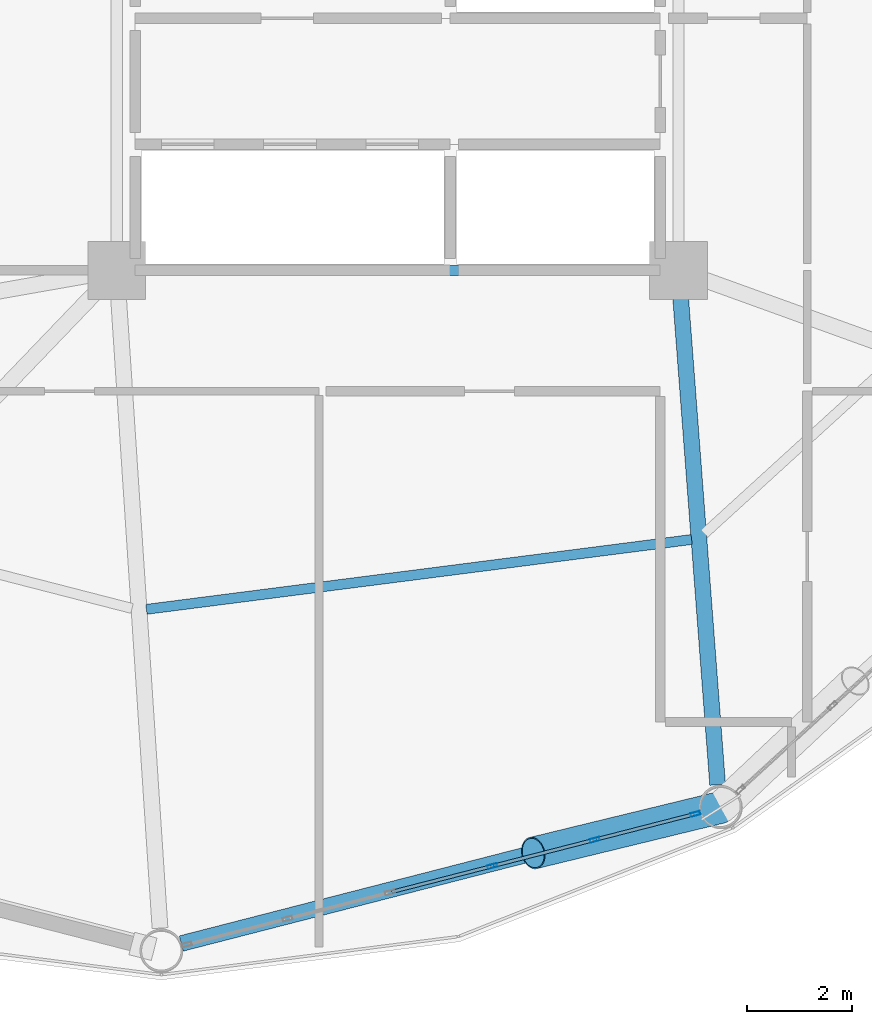
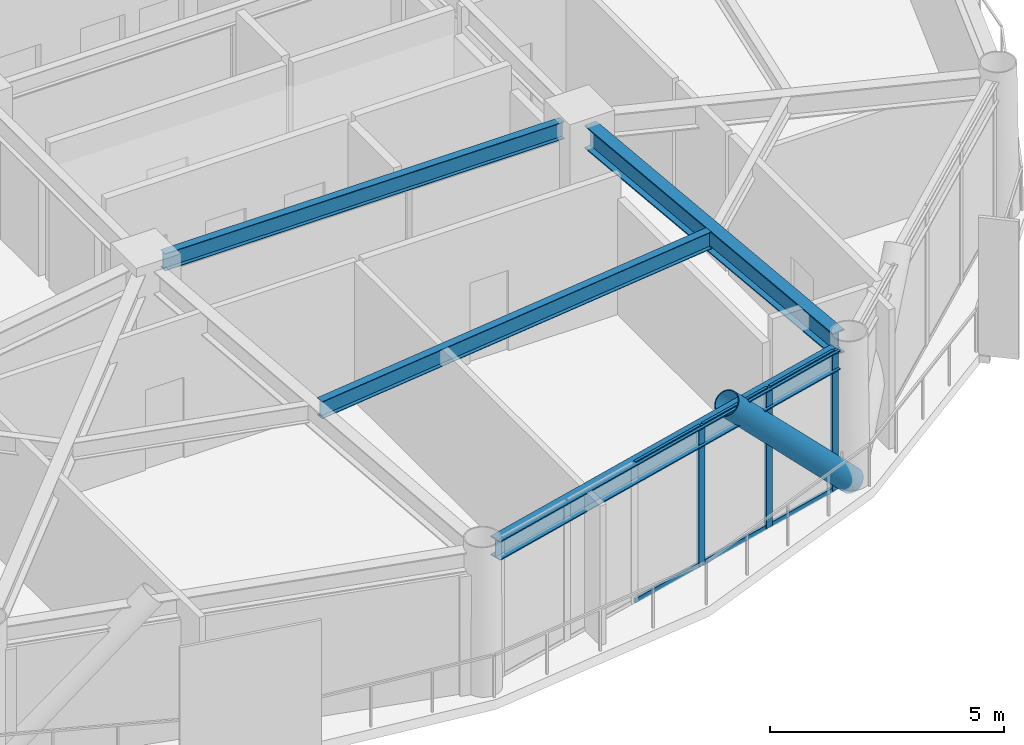
# One storey, part 7 of 24: 10 members, 4 beams, 1 element without a shape of its own.
"""IFC4 building model written with IfcOpenShell, lengths in metres."""

from ifc_helpers import new_model, si_unit, direction, frame, origin, origin_2d, place, context, subcontext, project, spatial, hollow_rectangle, hollow_circle, i_section, extrude, material, layer, layer_set, material_profile, profile_set, type_object, element, aggregate, save


model = new_model("IFC4")

# Units and contexts
model_context = context("Model", 3, precision=1e-05, world=origin(), true_north=direction((0.0, 1.0)))
body_context = subcontext(model_context, "Body", "Model", "MODEL_VIEW")
ifc_project = project(units=[si_unit("LENGTHUNIT", "METRE"), si_unit("AREAUNIT", "SQUARE_METRE"), si_unit("VOLUMEUNIT", "CUBIC_METRE"), si_unit("PLANEANGLEUNIT", "RADIAN"), si_unit("MASSUNIT", "GRAM", prefix="KILO")], contexts=[model_context])

# Site, building, storey
site_placement = place(None, origin())
site = spatial("IfcSite", under=ifc_project, at=site_placement, CompositionType="ELEMENT")
building_placement = place(site_placement, origin())
building = spatial("IfcBuilding", under=site, at=building_placement, Name="Varnakorn Sky Granary", CompositionType="ELEMENT")
storey_placement = place(building_placement, frame((0.0, 0.0, 111.0)))
storey = spatial("IfcBuildingStorey", under=building, at=storey_placement, Name="L27", CompositionType="ELEMENT", Elevation=111.0)

# Beams
ifc_material_1 = material(Name="Steel S355JR", Category="steel")
ifc_material_profile_1 = material_profile(ifc_material_1, i_section(OverallWidth=0.300048828125, OverallDepth=0.60009765625, WebThickness=0.015380859375, FlangeThickness=0.030029296875, at=origin_2d()), Name="HE 600 B")
ifc_profile_set_1 = profile_set([ifc_material_profile_1], Name="Steel S355JR")
beam_type_1 = type_object("IfcBeamType", Name="BM-RAD-Z2", PredefinedType="BEAM", material=ifc_profile_set_1)
beam_1_placement = place(storey_placement, frame((8.3818359375, -7.018798828125, 3.340087890625), z_axis=(0.075761323069, -0.997125980971, 0.0), x_axis=(0.997125980971, 0.075761323069, 0.0)))
element("IfcBeam", 1, at=beam_1_placement, inside=storey, type_object=beam_type_1, Name="Radial Floor Girder RG11 L27", PredefinedType="BEAM", context=body_context, shape_type="SweptSolid", body=[
    extrude(i_section(OverallWidth=0.300048828125, OverallDepth=0.60009765625, WebThickness=0.015380859375, FlangeThickness=0.030029296875, at=origin_2d()), origin(), (0.0, 0.0, 1.0), 9.4033203125),
])
ifc_material_profile_2 = material_profile(ifc_material_1, i_section(OverallWidth=0.18994140625, OverallDepth=0.449951171875, WebThickness=0.009521484375, FlangeThickness=0.0146484375, at=origin_2d()), Name="IPE 450")
ifc_profile_set_2 = profile_set([ifc_material_profile_2], Name="Steel S355JR")
beam_type_2 = type_object("IfcBeamType", Name="BM-SEC-Z2", PredefinedType="BEAM", material=ifc_profile_set_2)
beam_2_placement = place(storey_placement, frame((-1.78515625, -13.054931640625, 3.4150390625), z_axis=(0.991893652135, 0.127070778918, 0.0), x_axis=(-0.127070778918, 0.991893652135, 0.0)))
element("IfcBeam", 2, at=beam_2_placement, inside=storey, type_object=beam_type_2, Name="Secondary Floor Chord Beam MSB10 L27", PredefinedType="BEAM", context=body_context, shape_type="SweptSolid", body=[
    extrude(i_section(OverallWidth=0.18994140625, OverallDepth=0.449951171875, WebThickness=0.009521484375, FlangeThickness=0.0146484375, at=origin_2d()), origin(), (0.0, 0.0, 1.0), 10.46923828125),
])
beam_3_placement = place(storey_placement, frame((-1.929931640625, -6.60009765625, 3.4150390625), z_axis=(1.0, 0.0, 0.0), x_axis=(0.0, 1.0, 0.0)))
element("IfcBeam", 3, at=beam_3_placement, inside=storey, type_object=beam_type_2, Name="Core Spine Framing Beam 6 L27", PredefinedType="BEAM", context=body_context, shape_type="SweptSolid", body=[
    extrude(i_section(OverallWidth=0.18994140625, OverallDepth=0.449951171875, WebThickness=0.009521484375, FlangeThickness=0.0146484375, at=origin_2d()), origin(), (0.0, 0.0, 1.0), 9.85986328125),
])
ifc_material_profile_3 = material_profile(ifc_material_1, i_section(OverallWidth=0.300048828125, OverallDepth=0.5, WebThickness=0.014404296875, FlangeThickness=0.028076171875, at=origin_2d()), Name="HE 500 B")
ifc_profile_set_3 = profile_set([ifc_material_profile_3], Name="Steel S355JR")
beam_type_3 = type_object("IfcBeamType", Name="BM-SPD-Z2", PredefinedType="SPANDREL", material=ifc_profile_set_3)
beam_4_placement = place(storey_placement, frame((-1.120849609375, -19.41943359375, 3.389892578125), z_axis=(0.968499538733, 0.24901534787, 0.0), x_axis=(-0.24901534787, 0.968499538733, 0.0)))
element("IfcBeam", 4, at=beam_4_placement, inside=storey, type_object=beam_type_3, Name="Perimeter Spandrel Ring Beam RB10 L27", PredefinedType="SPANDREL", context=body_context, shape_type="SweptSolid", body=[
    extrude(i_section(OverallWidth=0.300048828125, OverallDepth=0.5, WebThickness=0.014404296875, FlangeThickness=0.028076171875, at=origin_2d()), origin(), (0.0, 0.0, 1.0), 10.1865234375),
])

# Curtain wall, members
ifc_material_2 = material(Name="Anodised Bronze Aluminium Alloy 6063-T6", Category="aluminium")
ifc_layer = layer(ifc_material_2, 0.179931640625, Name="Anodised Bronze Aluminium Alloy 6063-T6")
ifc_layer_set = layer_set([ifc_layer], Name="Anodised Bronze Aluminium Alloy 6063-T6")
curtain_wall_type = type_object("IfcCurtainWallType", Name="CW-FRM-2", PredefinedType="USERDEFINED", material=ifc_layer_set)
curtain_wall_placement = place(storey_placement, origin())
curtain_wall = element("IfcCurtainWall", 5, at=curtain_wall_placement, inside=storey, type_object=curtain_wall_type, Name="Unitised Curtain Wall CW4 CW-L27-B10", ObjectType="CURTAIN WALL", PredefinedType="USERDEFINED")
ifc_material_profile_4 = material_profile(ifc_material_2, hollow_rectangle(XDim=0.070068359375, YDim=0.18505859375, WallThickness=0.00390625, at=origin_2d()), Name="ALU MULL 70x185")
ifc_profile_set_4 = profile_set([ifc_material_profile_4], Name="Anodised Bronze Aluminium Alloy 6063-T6")
member_type_1 = type_object("IfcMemberType", Name="CW-FRM-2-MULL", PredefinedType="MULLION", material=ifc_profile_set_4)
member_1_placement = place(storey_placement, frame((8.671875, -16.950927734375, 0.0), z_axis=(0.0, 0.0, 1.0), x_axis=(0.248822553629, -0.968549088485, 0.0)))
member_1 = element("IfcMember", 6, at=member_1_placement, type_object=member_type_1, Name="CW4 mullion 1", PredefinedType="MULLION", context=body_context, shape_type="SweptSolid", body=[
    extrude(hollow_rectangle(XDim=0.070068359375, YDim=0.18505859375, WallThickness=0.00390625, at=origin_2d()), origin(), (0.0, 0.0, 1.0), 3.639892578125),
])
member_2_placement = place(storey_placement, frame((6.7548828125, -17.443359375, 0.0), z_axis=(0.0, 0.0, 1.0), x_axis=(0.248822553629, -0.968549088485, 0.0)))
member_2 = element("IfcMember", 7, at=member_2_placement, type_object=member_type_1, Name="CW4 mullion 2", PredefinedType="MULLION", context=body_context, shape_type="SweptSolid", body=[
    extrude(hollow_rectangle(XDim=0.070068359375, YDim=0.18505859375, WallThickness=0.00390625, at=origin_2d()), origin(), (0.0, 0.0, 1.0), 3.639892578125),
])
member_3_placement = place(storey_placement, frame((4.80419921875, -17.9443359375, 0.0), z_axis=(0.0, 0.0, 1.0), x_axis=(0.248822553629, -0.968549088485, 0.0)))
member_3 = element("IfcMember", 8, at=member_3_placement, type_object=member_type_1, Name="CW4 mullion 3", PredefinedType="MULLION", context=body_context, shape_type="SweptSolid", body=[
    extrude(hollow_rectangle(XDim=0.070068359375, YDim=0.18505859375, WallThickness=0.00390625, at=origin_2d()), origin(), (0.0, 0.0, 1.0), 3.639892578125),
])
ifc_material_profile_5 = material_profile(ifc_material_2, hollow_rectangle(XDim=0.06494140625, YDim=0.1201171875, WallThickness=0.00341796875, at=origin_2d()), Name="ALU TRAN 65x120")
ifc_profile_set_5 = profile_set([ifc_material_profile_5], Name="Anodised Bronze Aluminium Alloy 6063-T6")
member_type_2 = type_object("IfcMemberType", Name="CW-FRM-2-TRAN", PredefinedType="USERDEFINED", material=ifc_profile_set_5)
member_4_placement = place(storey_placement, frame((8.637939453125, -16.95947265625, 0.032470703125), z_axis=(-0.968542262841, -0.248849121137, 0.0), x_axis=(0.248849121137, -0.968542262841, 0.0)))
member_4 = element("IfcMember", 9, at=member_4_placement, type_object=member_type_2, Name="CW4 transom 1.1", ObjectType="TRANSOM", PredefinedType="USERDEFINED", context=body_context, shape_type="SweptSolid", body=[
    extrude(hollow_rectangle(XDim=0.06494140625, YDim=0.1201171875, WallThickness=0.00341796875, at=origin_2d()), origin(), (0.0, 0.0, 1.0), 1.9091796875),
])
member_5_placement = place(storey_placement, frame((8.637939453125, -16.95947265625, 3.607421875), z_axis=(-0.968542262841, -0.248849121137, 0.0), x_axis=(0.248849121137, -0.968542262841, 0.0)))
member_5 = element("IfcMember", 10, at=member_5_placement, type_object=member_type_2, Name="CW4 transom 1.2", ObjectType="TRANSOM", PredefinedType="USERDEFINED", context=body_context, shape_type="SweptSolid", body=[
    extrude(hollow_rectangle(XDim=0.06494140625, YDim=0.1201171875, WallThickness=0.00341796875, at=origin_2d()), origin(), (0.0, 0.0, 1.0), 1.9091796875),
])
member_6_placement = place(storey_placement, frame((6.720947265625, -17.451904296875, 0.032470703125), z_axis=(-0.968525811368, -0.248913142911, 0.0), x_axis=(0.248913142911, -0.968525811368, 0.0)))
member_6 = element("IfcMember", 11, at=member_6_placement, type_object=member_type_2, Name="CW4 transom 2.1", ObjectType="TRANSOM", PredefinedType="USERDEFINED", context=body_context, shape_type="SweptSolid", body=[
    extrude(hollow_rectangle(XDim=0.06494140625, YDim=0.1201171875, WallThickness=0.00341796875, at=origin_2d()), origin(), (0.0, 0.0, 1.0), 1.944091796875),
])
member_7_placement = place(storey_placement, frame((6.720947265625, -17.451904296875, 3.607421875), z_axis=(-0.968525811368, -0.248913142911, 0.0), x_axis=(0.248913142911, -0.968525811368, 0.0)))
member_7 = element("IfcMember", 12, at=member_7_placement, type_object=member_type_2, Name="CW4 transom 2.2", ObjectType="TRANSOM", PredefinedType="USERDEFINED", context=body_context, shape_type="SweptSolid", body=[
    extrude(hollow_rectangle(XDim=0.06494140625, YDim=0.1201171875, WallThickness=0.00341796875, at=origin_2d()), origin(), (0.0, 0.0, 1.0), 1.944091796875),
])
member_8_placement = place(storey_placement, frame((4.770263671875, -17.953125, 0.032470703125), z_axis=(-0.968563854018, -0.248765071283, 0.0), x_axis=(0.248765071283, -0.968563854018, 0.0)))
member_8 = element("IfcMember", 13, at=member_8_placement, type_object=member_type_2, Name="CW4 transom 3.1", ObjectType="TRANSOM", PredefinedType="USERDEFINED", context=body_context, shape_type="SweptSolid", body=[
    extrude(hollow_rectangle(XDim=0.06494140625, YDim=0.1201171875, WallThickness=0.00341796875, at=origin_2d()), origin(), (0.0, 0.0, 1.0), 1.944091796875),
])
member_9_placement = place(storey_placement, frame((4.770263671875, -17.953125, 3.607421875), z_axis=(-0.968563854018, -0.248765071283, 0.0), x_axis=(0.248765071283, -0.968563854018, 0.0)))
member_9 = element("IfcMember", 14, at=member_9_placement, type_object=member_type_2, Name="CW4 transom 3.2", ObjectType="TRANSOM", PredefinedType="USERDEFINED", context=body_context, shape_type="SweptSolid", body=[
    extrude(hollow_rectangle(XDim=0.06494140625, YDim=0.1201171875, WallThickness=0.00341796875, at=origin_2d()), origin(), (0.0, 0.0, 1.0), 1.944091796875),
])
aggregate(curtain_wall, [member_1, member_2, member_3, member_4, member_5, member_6, member_7, member_8, member_9])

# Member
ifc_material_3 = material(Name="Steel S460M", Category="steel")
ifc_material_profile_6 = material_profile(ifc_material_3, hollow_circle(Radius=0.304931640625, WallThickness=0.022216796875, at=origin_2d()), Name="CHS 610x22")
ifc_profile_set_6 = profile_set([ifc_material_profile_6], Name="Steel S460M")
member_type_3 = type_object("IfcMemberType", Name="MB-DIAG-T1", PredefinedType="BRACE", material=ifc_profile_set_6)
member_10_placement = place(storey_placement, frame((9.157470703125, -16.825927734375, 0.0), z_axis=(-0.676770504624, -0.164686061192, 0.717537584605), x_axis=(0.236441324563, -0.971645768806, 0.0)))
element("IfcMember", 15, at=member_10_placement, inside=storey, type_object=member_type_3, Name="Perimeter CHS Diagrid Brace DG10 L27", PredefinedType="BRACE", context=body_context, shape_type="SweptSolid", body=[
    extrude(hollow_circle(Radius=0.304931640625, WallThickness=0.022216796875, at=origin_2d()), origin(), (0.0, 0.0, 1.0), 5.281982421875),
])

save(model, "model.ifc")
